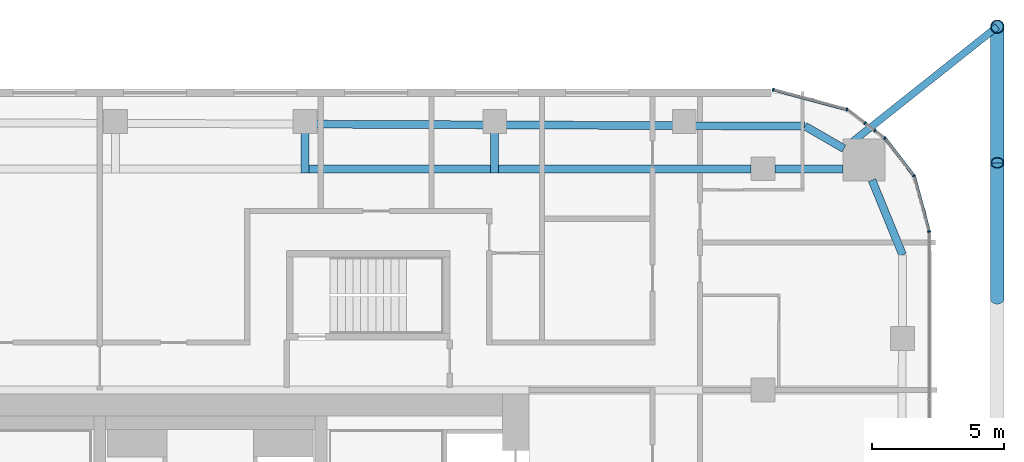
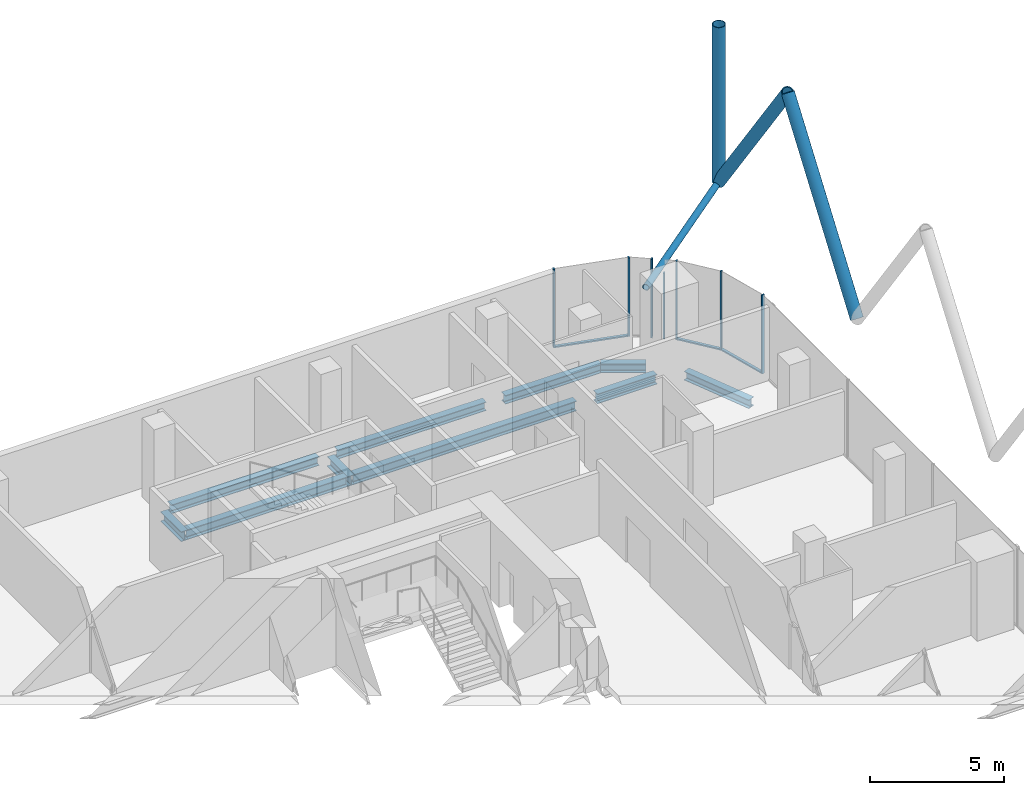
# One storey, part 14 of 33: 14 members, 10 beams, 6 elements without a shape of their own.
"""IFC4 building model written with IfcOpenShell, lengths in metres."""

from ifc_helpers import new_model, si_unit, direction, frame, origin, origin_2d, place, context, subcontext, project, spatial, rectangle, hollow_circle, i_section, extrude, material, layer, layer_set, material_profile, profile_set, type_object, element, aggregate, save


model = new_model("IFC4")

# Units and contexts
model_context = context("Model", 3, precision=1e-05, world=origin(), true_north=direction((0.0, 1.0)))
body_context = subcontext(model_context, "Body", "Model", "MODEL_VIEW")
ifc_project = project(units=[si_unit("LENGTHUNIT", "METRE"), si_unit("AREAUNIT", "SQUARE_METRE"), si_unit("VOLUMEUNIT", "CUBIC_METRE"), si_unit("PLANEANGLEUNIT", "RADIAN"), si_unit("MASSUNIT", "GRAM", prefix="KILO")], contexts=[model_context])

# Site, building, storey
site_placement = place(None, origin())
site = spatial("IfcSite", under=ifc_project, at=site_placement, CompositionType="ELEMENT")
building_placement = place(site_placement, origin())
building = spatial("IfcBuilding", under=site, at=building_placement, Name="Marenta Gate Hotel Tower", CompositionType="ELEMENT")
storey_placement = place(building_placement, frame((0.0, 0.0, 151.699951171875)))
storey = spatial("IfcBuildingStorey", under=building, at=storey_placement, Name="L35", CompositionType="ELEMENT", Elevation=151.699951171875)

# Members
ifc_material_1 = material(Name="Steel S355J2W", Category="steel")
ifc_material_profile_1 = material_profile(ifc_material_1, hollow_circle(Radius=0.25390625, WallThickness=0.02490234375, at=origin_2d()), Name="CHS 508x25")
ifc_profile_set_1 = profile_set([ifc_material_profile_1], Name="Steel S355J2W")
member_type_1 = type_object("IfcMemberType", Name="Diagrid corner post Z2 CHS 508x25", PredefinedType="POST", material=ifc_profile_set_1)
member_1_placement = place(storey_placement, frame((29.89990234375, 30.60009765625, 3.14013671875), z_axis=(0.0, 0.0, 1.0), x_axis=(1.0, 0.0, 0.0)))
element("IfcMember", 1, at=member_1_placement, inside=storey, type_object=member_type_1, Name="L35-DR-1", PredefinedType="POST", context=body_context, shape_type="SweptSolid", body=[
    extrude(hollow_circle(Radius=0.25390625, WallThickness=0.02490234375, at=origin_2d()), origin(), (0.0, 0.0, 1.0), 7.199951171875),
])
ifc_material_2 = material(Name="Steel S355J2W", Category="steel")
ifc_material_profile_2 = material_profile(ifc_material_2, hollow_circle(Radius=0.25390625, WallThickness=0.0400390625, at=origin_2d()), Name="CHS 508x40")
ifc_profile_set_2 = profile_set([ifc_material_profile_2], Name="Steel S355J2W")
member_type_2 = type_object("IfcMemberType", Name="Diagrid diagonal Z2 CHS 508x40", PredefinedType="BRACE", material=ifc_profile_set_2)
member_2_placement = place(storey_placement, frame((29.89990234375, 30.60009765625, 3.14013671875), z_axis=(0.0, -0.583279014058, 0.812271870595), x_axis=(1.0, 0.0, 0.0)))
element("IfcMember", 2, at=member_2_placement, inside=storey, type_object=member_type_2, Name="L35-DG-1", PredefinedType="BRACE", context=body_context, shape_type="SweptSolid", body=[
    extrude(hollow_circle(Radius=0.25390625, WallThickness=0.0400390625, at=origin_2d()), origin(), (0.0, 0.0, 1.0), 8.864013671875),
])
member_3_placement = place(storey_placement, frame((29.89990234375, 20.260009765625, 3.14013671875), z_axis=(0.0, 0.583260841117, 0.812284919975), x_axis=(-1.0, 0.0, 0.0)))
element("IfcMember", 3, at=member_3_placement, inside=storey, type_object=member_type_2, Name="L35-DG-2", PredefinedType="BRACE", context=body_context, shape_type="SweptSolid", body=[
    extrude(hollow_circle(Radius=0.25390625, WallThickness=0.0400390625, at=origin_2d()), origin(), (0.0, 0.0, 1.0), 8.86376953125),
])

# Beams
ifc_material_3 = material(Name="Steel S355", Category="steel")
ifc_material_profile_3 = material_profile(ifc_material_3, i_section(OverallWidth=0.300048828125, OverallDepth=0.39990234375, WebThickness=0.013427734375, FlangeThickness=0.02392578125, FilletRadius=0.027099609375, at=origin_2d()), Name="HEB 400")
ifc_profile_set_3 = profile_set([ifc_material_profile_3], Name="Steel S355")
beam_type_1 = type_object("IfcBeamType", Name="Edge beam HEB 400", PredefinedType="SPANDREL", material=ifc_profile_set_3)
beam_1_placement = place(storey_placement, frame((4.011474609375, 26.89697265625, -0.4599609375), z_axis=(0.999991780119, -0.004054589324, 0.0), x_axis=(0.004054589324, 0.999991780119, 0.0)))
element("IfcBeam", 4, at=beam_1_placement, inside=storey, type_object=beam_type_1, Name="L35-EB-17", PredefinedType="SPANDREL", context=body_context, shape_type="SweptSolid", body=[
    extrude(i_section(OverallWidth=0.300048828125, OverallDepth=0.39990234375, WebThickness=0.013427734375, FlangeThickness=0.02392578125, FilletRadius=0.027099609375, at=origin_2d()), origin(), (0.0, 0.0, 1.0), 6.382568359375),
])
beam_2_placement = place(storey_placement, frame((11.214111328125, 26.86767578125, -0.4599609375), z_axis=(0.999991780748, -0.00405443424, 0.0), x_axis=(0.00405443424, 0.999991780748, 0.0)))
element("IfcBeam", 5, at=beam_2_placement, inside=storey, type_object=beam_type_1, Name="L35-EB-18", PredefinedType="SPANDREL", context=body_context, shape_type="SweptSolid", body=[
    extrude(i_section(OverallWidth=0.300048828125, OverallDepth=0.39990234375, WebThickness=0.013427734375, FlangeThickness=0.02392578125, FilletRadius=0.027099609375, at=origin_2d()), origin(), (0.0, 0.0, 1.0), 6.3828125),
])
beam_3_placement = place(storey_placement, frame((18.4169921875, 26.83837890625, -0.4599609375), z_axis=(0.999991621459, -0.004093532953, 0.0), x_axis=(0.004093532953, 0.999991621459, 0.0)))
element("IfcBeam", 6, at=beam_3_placement, inside=storey, type_object=beam_type_1, Name="L35-EB-19", PredefinedType="SPANDREL", context=body_context, shape_type="SweptSolid", body=[
    extrude(i_section(OverallWidth=0.300048828125, OverallDepth=0.39990234375, WebThickness=0.013427734375, FlangeThickness=0.02392578125, FilletRadius=0.027099609375, at=origin_2d()), origin(), (0.0, 0.0, 1.0), 4.1748046875),
])
beam_4_placement = place(storey_placement, frame((22.591796875, 26.8212890625, -0.4599609375), z_axis=(0.866016478054, -0.500015459501, 0.0), x_axis=(0.500015459501, 0.866016478054, 0.0)))
element("IfcBeam", 7, at=beam_4_placement, inside=storey, type_object=beam_type_1, Name="L35-EB-20", PredefinedType="SPANDREL", context=body_context, shape_type="SweptSolid", body=[
    extrude(i_section(OverallWidth=0.300048828125, OverallDepth=0.39990234375, WebThickness=0.013427734375, FlangeThickness=0.02392578125, FilletRadius=0.027099609375, at=origin_2d()), origin(), (0.0, 0.0, 1.0), 1.70703125),
])
beam_5_placement = place(storey_placement, frame((25.138916015625, 24.7724609375, -0.4599609375), z_axis=(0.378682450416, -0.925526661824, 0.0), x_axis=(0.925526661824, 0.378682450416, 0.0)))
element("IfcBeam", 8, at=beam_5_placement, inside=storey, type_object=beam_type_1, Name="L35-EB-21", PredefinedType="SPANDREL", context=body_context, shape_type="SweptSolid", body=[
    extrude(i_section(OverallWidth=0.300048828125, OverallDepth=0.39990234375, WebThickness=0.013427734375, FlangeThickness=0.02392578125, FilletRadius=0.027099609375, at=origin_2d()), origin(), (0.0, 0.0, 1.0), 3.066162109375),
])

# Member
ifc_material_4 = material(Name="Steel S355J2W", Category="steel")
ifc_material_profile_4 = material_profile(ifc_material_4, hollow_circle(Radius=0.136474609375, WallThickness=0.012451171875, at=origin_2d()), Name="CHS 273x12.5")
ifc_profile_set_4 = profile_set([ifc_material_profile_4], Name="Steel S355J2W")
member_type_3 = type_object("IfcMemberType", Name="Floor tie CHS 273x12.5", PredefinedType="STRUT", material=ifc_profile_set_4)
member_4_placement = place(storey_placement, frame((29.89990234375, 30.60009765625, 3.14013671875), z_axis=(-0.782942525187, -0.622094046149, 0.0), x_axis=(0.622094046149, -0.782942525187, 0.0)))
element("IfcMember", 9, at=member_4_placement, inside=storey, type_object=member_type_3, Name="L35-DR-7", PredefinedType="STRUT", context=body_context, shape_type="SweptSolid", body=[
    extrude(hollow_circle(Radius=0.136474609375, WallThickness=0.012451171875, at=origin_2d()), origin(), (0.0, 0.0, 1.0), 7.43896484375),
])

# Beams
ifc_material_5 = material(Name="Steel S355", Category="steel")
ifc_material_profile_5 = material_profile(ifc_material_5, i_section(OverallWidth=0.300048828125, OverallDepth=0.449951171875, WebThickness=0.013916015625, FlangeThickness=0.02587890625, FilletRadius=0.027099609375, at=origin_2d()), Name="HEB 450")
ifc_profile_set_5 = profile_set([ifc_material_profile_5], Name="Steel S355")
beam_type_2 = type_object("IfcBeamType", Name="Girder HEB 450", PredefinedType="BEAM", material=ifc_profile_set_5)
beam_6_placement = place(storey_placement, frame((3.75146484375, 25.199951171875, -0.48486328125), z_axis=(1.0, 0.0, 0.0), x_axis=(0.0, 1.0, 0.0)))
element("IfcBeam", 10, at=beam_6_placement, inside=storey, type_object=beam_type_2, Name="L35-GD-33", PredefinedType="BEAM", context=body_context, shape_type="SweptSolid", body=[
    extrude(i_section(OverallWidth=0.300048828125, OverallDepth=0.449951171875, WebThickness=0.013916015625, FlangeThickness=0.02587890625, FilletRadius=0.027099609375, at=origin_2d()), origin(), (0.0, 0.0, 1.0), 6.902587890625),
])
beam_7_placement = place(storey_placement, frame((10.9541015625, 25.199951171875, -0.48486328125), z_axis=(1.0, 0.0, 0.0), x_axis=(0.0, 1.0, 0.0)))
element("IfcBeam", 11, at=beam_7_placement, inside=storey, type_object=beam_type_2, Name="L35-GD-34", PredefinedType="BEAM", context=body_context, shape_type="SweptSolid", body=[
    extrude(i_section(OverallWidth=0.300048828125, OverallDepth=0.449951171875, WebThickness=0.013916015625, FlangeThickness=0.02587890625, FilletRadius=0.027099609375, at=origin_2d()), origin(), (0.0, 0.0, 1.0), 9.595947265625),
])
beam_8_placement = place(storey_placement, frame((21.449951171875, 25.199951171875, -0.48486328125), z_axis=(1.0, 0.0, 0.0), x_axis=(0.0, 1.0, 0.0)))
element("IfcBeam", 12, at=beam_8_placement, inside=storey, type_object=beam_type_2, Name="L35-GD-35", PredefinedType="BEAM", context=body_context, shape_type="SweptSolid", body=[
    extrude(i_section(OverallWidth=0.300048828125, OverallDepth=0.449951171875, WebThickness=0.013916015625, FlangeThickness=0.02587890625, FilletRadius=0.027099609375, at=origin_2d()), origin(), (0.0, 0.0, 1.0), 2.58544921875),
])
ifc_material_6 = material(Name="Steel S355", Category="steel")
ifc_material_profile_6 = material_profile(ifc_material_6, i_section(OverallWidth=0.300048828125, OverallDepth=0.449951171875, WebThickness=0.013916015625, FlangeThickness=0.02587890625, FilletRadius=0.027099609375, at=origin_2d()), Name="HEB 450")
ifc_profile_set_6 = profile_set([ifc_material_profile_6], Name="Steel S355")
beam_type_3 = type_object("IfcBeamType", Name="Girder bracket HEB 450", PredefinedType="BEAM", material=ifc_profile_set_6)
for number, where, z_axis, x_axis, name in (
    (13, (3.601318359375, 25.050048828125, -0.48486328125), (0.0, 1.0, 0.0), (-1.0, 0.0, 0.0), "L35-GS-3"),
    (14, (10.80419921875, 25.050048828125, -0.48486328125), (0.0, 1.0, 0.0), (-1.0, 0.0, 0.0), "L35-GS-4"),
):
    element("IfcBeam", number, at=place(storey_placement, frame(where, z_axis=z_axis, x_axis=x_axis)), inside=storey, type_object=beam_type_3, Name=name, PredefinedType="BEAM", context=body_context, shape_type="SweptSolid", body=[
        extrude(i_section(OverallWidth=0.300048828125, OverallDepth=0.449951171875, WebThickness=0.013916015625, FlangeThickness=0.02587890625, FilletRadius=0.027099609375, at=origin_2d()), origin(), (0.0, 0.0, 1.0), 1.5400390625),
    ])

# Curtain wall, member
ifc_material_7 = material(Name="Tinted insulated glass in bronze anodised frame", Category="glass")
ifc_layer = layer(ifc_material_7, 0.1201171875)
ifc_layer_set = layer_set([ifc_layer], Name="Tinted insulated glass in bronze anodised frame")
curtain_wall_type = type_object("IfcCurtainWallType", Name="Tower unitised curtain wall CW1", PredefinedType="NOTDEFINED", material=ifc_layer_set)
curtain_wall_1_placement = place(storey_placement, origin())
curtain_wall_1 = element("IfcCurtainWall", 15, at=curtain_wall_1_placement, inside=storey, type_object=curtain_wall_type, Name="CW1 run G20", PredefinedType="NOTDEFINED")
ifc_material_8 = material(Name="Bronze anodised aluminium", Category="aluminium")
ifc_material_profile_7 = material_profile(ifc_material_8, rectangle(XDim=0.1201171875, YDim=0.06005859375, at=origin_2d()), Name="Mullion CW1 60x120 bronze anodised aluminium")
ifc_profile_set_7 = profile_set([ifc_material_profile_7], Name="Bronze anodised aluminium")
member_type_4 = type_object("IfcMemberType", Name="Mullion CW1 60x120 bronze anodised aluminium", PredefinedType="MULLION", material=ifc_profile_set_7)
member_5_placement = place(storey_placement, frame((27.30615234375, 22.82080078125, 0.0), z_axis=(0.0, 0.0, 1.0), x_axis=(-0.965924859908, -0.258822651658, 0.0)))
member_5 = element("IfcMember", 16, at=member_5_placement, type_object=member_type_4, Name="CW1 mullion 1", PredefinedType="MULLION", context=body_context, shape_type="SweptSolid", body=[
    extrude(rectangle(XDim=0.1201171875, YDim=0.06005859375, at=origin_2d()), origin(), (0.0, 0.0, 1.0), 3.60009765625),
])

curtain_wall_2_placement = place(storey_placement, origin())
curtain_wall_2 = element("IfcCurtainWall", 17, at=curtain_wall_2_placement, inside=storey, type_object=curtain_wall_type, Name="CW1 run G21", PredefinedType="NOTDEFINED")
member_6_placement = place(storey_placement, frame((26.727783203125, 24.93505859375, 0.0), z_axis=(0.0, 0.0, 1.0), x_axis=(-0.793326722289, -0.608796116694, 0.0)))
member_6 = element("IfcMember", 18, at=member_6_placement, type_object=member_type_4, Name="CW1 mullion 1", PredefinedType="MULLION", context=body_context, shape_type="SweptSolid", body=[
    extrude(rectangle(XDim=0.1201171875, YDim=0.06005859375, at=origin_2d()), origin(), (0.0, 0.0, 1.0), 3.60009765625),
])

curtain_wall_3_placement = place(storey_placement, origin())
curtain_wall_3 = element("IfcCurtainWall", 19, at=curtain_wall_3_placement, inside=storey, type_object=curtain_wall_type, Name="CW1 run G22", PredefinedType="NOTDEFINED")
member_7_placement = place(storey_placement, frame((25.62158203125, 26.36376953125, 0.0), z_axis=(0.0, 0.0, 1.0), x_axis=(-0.608778467767, -0.793340265701, 0.0)))
member_7 = element("IfcMember", 20, at=member_7_placement, type_object=member_type_4, Name="CW1 mullion 1", PredefinedType="MULLION", context=body_context, shape_type="SweptSolid", body=[
    extrude(rectangle(XDim=0.1201171875, YDim=0.06005859375, at=origin_2d()), origin(), (0.0, 0.0, 1.0), 3.60009765625),
])
aggregate(curtain_wall_3, [member_7])

curtain_wall_4_placement = place(storey_placement, origin())
curtain_wall_4 = element("IfcCurtainWall", 21, at=curtain_wall_4_placement, inside=storey, type_object=curtain_wall_type, Name="CW1 run G23", PredefinedType="NOTDEFINED")
member_8_placement = place(storey_placement, frame((25.247314453125, 26.651123046875, 0.0), z_axis=(0.0, 0.0, 1.0), x_axis=(-0.608737274752, -0.79337187392, 0.0)))
member_8 = element("IfcMember", 22, at=member_8_placement, type_object=member_type_4, Name="CW1 mullion 1", PredefinedType="MULLION", context=body_context, shape_type="SweptSolid", body=[
    extrude(rectangle(XDim=0.1201171875, YDim=0.06005859375, at=origin_2d()), origin(), (0.0, 0.0, 1.0), 3.00048828125),
])
aggregate(curtain_wall_4, [member_8])

curtain_wall_5_placement = place(storey_placement, origin())
curtain_wall_5 = element("IfcCurtainWall", 23, at=curtain_wall_5_placement, inside=storey, type_object=curtain_wall_type, Name="CW1 run G24", PredefinedType="NOTDEFINED")
member_9_placement = place(storey_placement, frame((24.876953125, 26.935302734375, 0.0), z_axis=(0.0, 0.0, 1.0), x_axis=(-0.608837310591, -0.793295108539, 0.0)))
member_9 = element("IfcMember", 24, at=member_9_placement, type_object=member_type_4, Name="CW1 mullion 1", PredefinedType="MULLION", context=body_context, shape_type="SweptSolid", body=[
    extrude(rectangle(XDim=0.1201171875, YDim=0.06005859375, at=origin_2d()), origin(), (0.0, 0.0, 1.0), 3.60009765625),
])
aggregate(curtain_wall_5, [member_9])

# Curtain wall, members
curtain_wall_6_placement = place(storey_placement, origin())
curtain_wall_6 = element("IfcCurtainWall", 25, at=curtain_wall_6_placement, inside=storey, type_object=curtain_wall_type, Name="CW1 run G25", PredefinedType="NOTDEFINED")
member_10_placement = place(storey_placement, frame((24.182373046875, 27.453857421875, 0.0), z_axis=(0.0, 0.0, 1.0), x_axis=(-0.258805989975, -0.965929324305, 0.0)))
member_10 = element("IfcMember", 26, at=member_10_placement, type_object=member_type_4, Name="CW1 mullion 1", PredefinedType="MULLION", context=body_context, shape_type="SweptSolid", body=[
    extrude(rectangle(XDim=0.1201171875, YDim=0.06005859375, at=origin_2d()), origin(), (0.0, 0.0, 1.0), 3.60009765625),
])
member_11_placement = place(storey_placement, frame((21.385498046875, 28.203125, 0.0), z_axis=(0.0, 0.0, 1.0), x_axis=(-0.258805989975, -0.965929324305, 0.0)))
member_11 = element("IfcMember", 27, at=member_11_placement, type_object=member_type_4, Name="CW1 mullion 2", PredefinedType="MULLION", context=body_context, shape_type="SweptSolid", body=[
    extrude(rectangle(XDim=0.1201171875, YDim=0.06005859375, at=origin_2d()), origin(), (0.0, 0.0, 1.0), 3.60009765625),
])

# Member
ifc_material_9 = material(Name="Bronze anodised aluminium", Category="aluminium")
ifc_material_profile_8 = material_profile(ifc_material_9, rectangle(XDim=0.1201171875, YDim=0.06005859375, at=origin_2d()), Name="Transom CW1 60x120 bronze anodised aluminium")
ifc_profile_set_8 = profile_set([ifc_material_profile_8], Name="Bronze anodised aluminium")
member_type_5 = type_object("IfcMemberType", Name="Transom CW1 60x120 bronze anodised aluminium", PredefinedType="USERDEFINED", material=ifc_profile_set_8)
member_12_placement = place(storey_placement, frame((27.298583984375, 22.849853515625, 0.030029296875), z_axis=(-0.258865686882, 0.965913327455, 0.0), x_axis=(-0.965913327455, -0.258865686882, 0.0)))
member_12 = element("IfcMember", 28, at=member_12_placement, type_object=member_type_5, Name="CW1 transom 1.1", ObjectType="TRANSOM", PredefinedType="USERDEFINED", context=body_context, shape_type="SweptSolid", body=[
    extrude(rectangle(XDim=0.1201171875, YDim=0.06005859375, at=origin_2d()), origin(), (0.0, 0.0, 1.0), 2.13427734375),
])

aggregate(curtain_wall_1, [member_5, member_12])

member_13_placement = place(storey_placement, frame((26.70947265625, 24.958984375, 0.030029296875), z_axis=(-0.608792205599, 0.793329723634, 0.0), x_axis=(-0.793329723634, -0.608792205599, 0.0)))
member_13 = element("IfcMember", 29, at=member_13_placement, type_object=member_type_5, Name="CW1 transom 1.1", ObjectType="TRANSOM", PredefinedType="USERDEFINED", context=body_context, shape_type="SweptSolid", body=[
    extrude(rectangle(XDim=0.1201171875, YDim=0.06005859375, at=origin_2d()), origin(), (0.0, 0.0, 1.0), 1.74755859375),
])

aggregate(curtain_wall_2, [member_6, member_13])

member_14_placement = place(storey_placement, frame((24.1533203125, 27.461669921875, 0.030029296875), z_axis=(-0.965922684272, 0.258830770986, 0.0), x_axis=(-0.258830770986, -0.965922684272, 0.0)))
member_14 = element("IfcMember", 30, at=member_14_placement, type_object=member_type_5, Name="CW1 transom 1.1", ObjectType="TRANSOM", PredefinedType="USERDEFINED", context=body_context, shape_type="SweptSolid", body=[
    extrude(rectangle(XDim=0.1201171875, YDim=0.06005859375, at=origin_2d()), origin(), (0.0, 0.0, 1.0), 2.83544921875),
])

aggregate(curtain_wall_6, [member_10, member_11, member_14])

save(model, "model.ifc")
